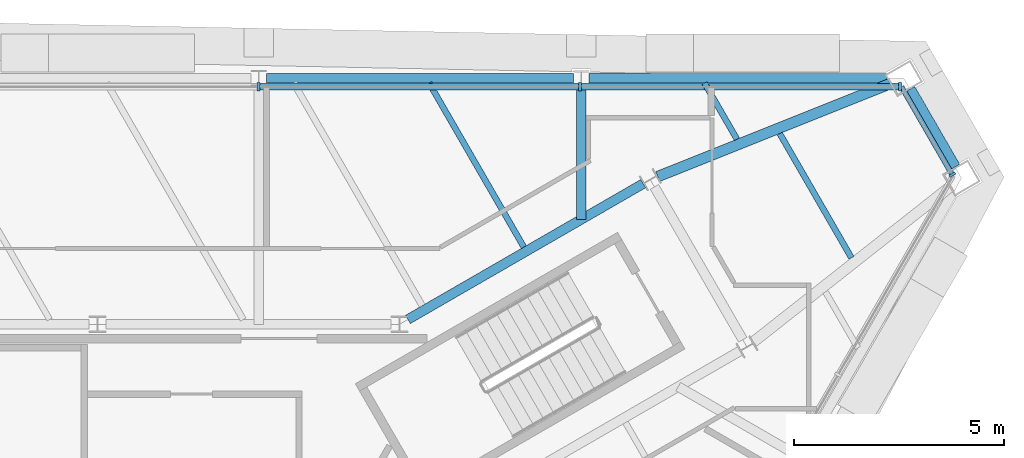
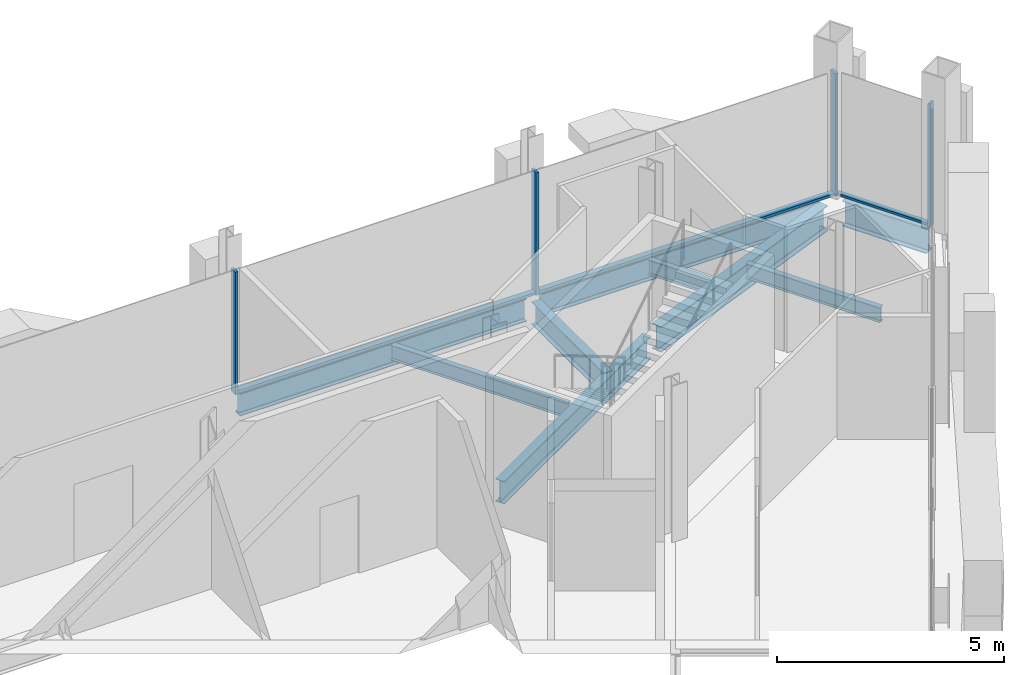
# One storey, part 7 of 13: 9 beams, 7 members, 2 elements without a shape of their own.
"""IFC4 building model written with IfcOpenShell, lengths in metres."""

import ifcopenshell
import ifcopenshell.guid

model = None  # the IFC model being written
_history = None  # IfcOwnerHistory: only IFC2X3 demands one
_inside = {}  # id of a spatial element -> (the spatial element, [elements in it])
_under = {}  # id of a project, library or spatial element -> (it, [spatial elements below it])
_declared = {}  # id of a project -> (the project, [libraries it declares])
_typed = {}  # id of a type object -> (the type object, [elements of that type])
_made_of = {}  # id of a material, layer set ... -> (it, [elements and type objects made of it])


def new_model(schema):
    """Start an empty IFC model of exactly this schema.

    Asked for "IFC4X3", IfcOpenShell would pick the latest addendum, in which some entities
    have other attributes; the version numbers below select the first issue.
    IFC2X3 requires an IfcOwnerHistory on every rooted entity: one is made here for all.
    """
    global model, _history
    if schema == "IFC4X3":
        model = ifcopenshell.file(schema_version=(4, 3, 0, 0))
    else:
        model = ifcopenshell.file(schema=schema)
    _inside.clear()
    _under.clear()
    _declared.clear()
    _typed.clear()
    _made_of.clear()
    _history = None
    if model.schema == "IFC2X3":
        org = make("IfcOrganization", Name="unknown")
        user = make(
            "IfcPersonAndOrganization",
            ThePerson=make("IfcPerson", FamilyName="unknown"),
            TheOrganization=org,
        )
        app = make(
            "IfcApplication",
            ApplicationDeveloper=org,
            Version="unknown",
            ApplicationFullName="unknown",
            ApplicationIdentifier="unknown",
        )
        _history = make(
            "IfcOwnerHistory",
            OwningUser=user,
            OwningApplication=app,
            ChangeAction="ADDED",
            CreationDate=0,
        )
    return model


def make(cls, **values):
    """One entity of the class cls with the attributes given. An attribute that is None is left unset."""
    return model.create_entity(
        cls, **{name: value for name, value in values.items() if value is not None}
    )


def rooted(cls, **values):
    """An entity with a GlobalId (a new one), such as an element, a storey or a relation."""
    return make(cls, GlobalId=ifcopenshell.guid.new(), OwnerHistory=_history, **values)


def si_unit(unit_type, name, prefix=None):
    """IfcSIUnit, for example si_unit("LENGTHUNIT", "METRE", prefix="MILLI")."""
    return make("IfcSIUnit", UnitType=unit_type, Prefix=prefix, Name=name)


def assignment(units):
    """IfcUnitAssignment: the units of a project."""
    return None if units is None else make("IfcUnitAssignment", Units=units)


def point(xyz):
    """IfcCartesianPoint."""
    return None if xyz is None else make("IfcCartesianPoint", Coordinates=xyz)


def direction(xyz):
    """IfcDirection."""
    return None if xyz is None else make("IfcDirection", DirectionRatios=xyz)


def frame(location, z_axis=None, x_axis=None):
    """IfcAxis2Placement3D, a coordinate frame: its origin and axes. An axis left out is left unset."""
    return make(
        "IfcAxis2Placement3D",
        Location=point(location),
        Axis=direction(z_axis),
        RefDirection=direction(x_axis),
    )


def frame_2d(location, x_axis=None):
    """IfcAxis2Placement2D, a coordinate frame in the plane: its origin and x axis."""
    return make(
        "IfcAxis2Placement2D", Location=point(location), RefDirection=direction(x_axis)
    )


def origin():
    """The frame at (0, 0, 0) with its axes left unset."""
    return frame((0.0, 0.0, 0.0))


def origin_2d():
    """The frame at (0, 0) in the plane with its x axis left unset."""
    return frame_2d((0.0, 0.0))


def place(relative_to, where):
    """IfcLocalPlacement: puts the frame where relative to a parent placement (None: the world)."""
    return make(
        "IfcLocalPlacement", PlacementRelTo=relative_to, RelativePlacement=where
    )


def context(
    kind, dimensions, precision=None, world=None, true_north=None, identifier=None
):
    """IfcGeometricRepresentationContext, for example the 3D "Model" context."""
    return make(
        "IfcGeometricRepresentationContext",
        ContextIdentifier=identifier,
        ContextType=kind,
        CoordinateSpaceDimension=dimensions,
        Precision=precision,
        WorldCoordinateSystem=world,
        TrueNorth=true_north,
    )


def subcontext(parent, identifier, kind, view, scale=None):
    """IfcGeometricRepresentationSubContext, for example "Body" below "Model"."""
    return make(
        "IfcGeometricRepresentationSubContext",
        ContextIdentifier=identifier,
        ContextType=kind,
        ParentContext=parent,
        TargetScale=scale,
        TargetView=view,
    )


def project(units=None, contexts=None):
    """IfcProject with its units and contexts."""
    return rooted(
        "IfcProject",
        Name="project",
        RepresentationContexts=contexts,
        UnitsInContext=assignment(units),
    )


def spatial(cls, under=None, at=None, **own):
    """A site, building, storey or space (cls), placed at a placement, below another one or the project."""
    s = rooted(cls, ObjectPlacement=at, **own)
    if under is not None:
        _under.setdefault(under.id(), (under, []))[1].append(s)
    return s


def profile(cls, at=None, kind="AREA", **sizes):
    """A parametric profile (cls). Its sizes go by their IFC names, for example OverallWidth=200.0."""
    return make(cls, ProfileType=kind, Position=at, **sizes)


def rectangle(**sizes):
    """IfcRectangleProfileDef."""
    return profile("IfcRectangleProfileDef", **sizes)


def i_section(**sizes):
    """IfcIShapeProfileDef."""
    return profile("IfcIShapeProfileDef", **sizes)


def extrude(swept, where, along, depth):
    """IfcExtrudedAreaSolid: the profile swept, set in the frame where, extruded along a direction by depth."""
    return make(
        "IfcExtrudedAreaSolid",
        SweptArea=swept,
        Position=where,
        ExtrudedDirection=direction(along),
        Depth=depth,
    )


def shape(context_of_items, identifier, shape_type, items):
    """IfcShapeRepresentation: the items that make up one representation, for example the "Body"."""
    return make(
        "IfcShapeRepresentation",
        ContextOfItems=context_of_items,
        RepresentationIdentifier=identifier,
        RepresentationType=shape_type,
        Items=items,
    )


def material(Name=None, Category=None):
    """IfcMaterial."""
    return make("IfcMaterial", Name=Name, Category=Category)


def material_profile(
    of_material, cross_section, Name=None, Category=None, Priority=None
):
    """IfcMaterialProfile: a cross section and its material."""
    return make(
        "IfcMaterialProfile",
        Name=Name,
        Material=of_material,
        Profile=cross_section,
        Priority=Priority,
        Category=Category,
    )


def profile_set(profiles, Name=None, composite=None):
    """IfcMaterialProfileSet."""
    return make(
        "IfcMaterialProfileSet",
        Name=Name,
        MaterialProfiles=profiles,
        CompositeProfile=composite,
    )


def made_of(thing, what):
    """Note that an element or type object is made of a material, layer set ...; save() writes the relation."""
    if what is not None:
        _made_of.setdefault(what.id(), (what, []))[1].append(thing)
    return thing


def type_object(cls, material=None, **own):
    """A type object (cls), such as IfcWallType, which elements share."""
    return made_of(rooted(cls, **own), material)


def element(
    cls,
    number,
    at=None,
    inside=None,
    cuts=None,
    type_object=None,
    material=None,
    context=None,
    identifier="Body",
    shape_type=None,
    held_by="IfcProductDefinitionShape",
    body=None,
    shapes=None,
    **own,
):
    """One element of the class cls, such as IfcWall. Its Tag is "e" and its number.

    at: its placement. inside: the storey or other place that contains it. cuts: it is an
    opening in that element (IfcRelVoidsElement). A single representation is given by context,
    identifier, shape_type and body (its items); several are given by shapes. held_by: the class
    of the entity that holds the representations. save() writes the other relations.
    """
    e = rooted(cls, Tag="e%d" % number, ObjectPlacement=at, **own)
    if body is not None:
        shapes = [shape(context, identifier, shape_type, body)]
    if shapes is not None:
        e.Representation = make(held_by, Representations=shapes)
    if inside is not None:
        _inside.setdefault(inside.id(), (inside, []))[1].append(e)
    if cuts is not None:
        rooted(
            "IfcRelVoidsElement", RelatingBuildingElement=cuts, RelatedOpeningElement=e
        )
    if type_object is not None:
        _typed.setdefault(type_object.id(), (type_object, []))[1].append(e)
    return made_of(e, material)


def aggregate(whole, parts):
    """IfcRelAggregates: a whole, such as a stair, and the parts it consists of."""
    return rooted("IfcRelAggregates", RelatingObject=whole, RelatedObjects=parts)


def save(model, path):
    """Write the relations noted so far, then the file.

    IfcRelAggregates (storeys below a building ...), IfcRelContainedInSpatialStructure (elements
    in a storey), IfcRelDefinesByType, IfcRelAssociatesMaterial and IfcRelDeclares: one each for
    every whole, place, type object, material and project.
    """
    for whole, parts in _under.values():
        aggregate(whole, parts)
    for where, things in _inside.values():
        rooted(
            "IfcRelContainedInSpatialStructure",
            RelatedElements=things,
            RelatingStructure=where,
        )
    for kind, things in _typed.values():
        rooted("IfcRelDefinesByType", RelatedObjects=things, RelatingType=kind)
    for what, things in _made_of.values():
        rooted("IfcRelAssociatesMaterial", RelatedObjects=things, RelatingMaterial=what)
    for by, libraries in _declared.values():
        rooted("IfcRelDeclares", RelatingContext=by, RelatedDefinitions=libraries)
    model.write(path)


model = new_model("IFC4")

# Units and contexts
model_context = context("Model", 3, precision=1e-05, world=origin(), true_north=direction((0.0, 1.0)))
body_context = subcontext(model_context, "Body", "Model", "MODEL_VIEW")
ifc_project = project(units=[si_unit("LENGTHUNIT", "METRE"), si_unit("AREAUNIT", "SQUARE_METRE"), si_unit("VOLUMEUNIT", "CUBIC_METRE"), si_unit("PLANEANGLEUNIT", "RADIAN"), si_unit("MASSUNIT", "GRAM", prefix="KILO")], contexts=[model_context])

# Site, building, storey
site_placement = place(None, origin())
site = spatial("IfcSite", under=ifc_project, at=site_placement, CompositionType="ELEMENT")
building_placement = place(site_placement, origin())
building = spatial("IfcBuilding", under=site, at=building_placement, Name="Verrane Prism Tower", CompositionType="ELEMENT")
storey_placement = place(building_placement, frame((0.0, 0.0, 321.0)))
storey = spatial("IfcBuildingStorey", under=building, at=storey_placement, Name="L81", CompositionType="ELEMENT", Elevation=321.0)

# Beams
ifc_material_1 = material(Name="Steel A992", Category="steel")
ifc_material_profile_1 = material_profile(ifc_material_1, i_section(OverallWidth=0.25390625, OverallDepth=0.683349609375, WebThickness=0.012451171875, FlangeThickness=0.01904296875, FilletRadius=0.01513671875, at=origin_2d()), Name="W27x94")
ifc_profile_set_1 = profile_set([ifc_material_profile_1], Name="Steel A992")
beam_type_1 = type_object("IfcBeamType", Name="Chamfer spandrel beam W27x94", PredefinedType="SPANDREL", material=ifc_profile_set_1)
beam_1_placement = place(storey_placement, frame((20.389892578125, 10.539794921875, -0.501708984375), z_axis=(-0.500486898547, 0.865744110221, 0.0), x_axis=(-0.865744110221, -0.500486898547, 0.0)))
element("IfcBeam", 1, at=beam_1_placement, inside=storey, type_object=beam_type_1, Name="Chamfer spandrel beam L81", PredefinedType="SPANDREL", context=body_context, shape_type="SweptSolid", body=[
    extrude(i_section(OverallWidth=0.25390625, OverallDepth=0.683349609375, WebThickness=0.012451171875, FlangeThickness=0.01904296875, FilletRadius=0.01513671875, at=origin_2d()), origin(), (0.0, 0.0, 1.0), 2.137451171875),
])
ifc_material_2 = material(Name="Steel A992", Category="steel")
ifc_material_profile_2 = material_profile(ifc_material_2, i_section(OverallWidth=0.228271484375, OverallDepth=0.607177734375, WebThickness=0.01123046875, FlangeThickness=0.017333984375, FilletRadius=0.0126953125, at=origin_2d()), Name="W24x76")
ifc_profile_set_2 = profile_set([ifc_material_profile_2], Name="Steel A992")
beam_type_2 = type_object("IfcBeamType", Name="Core ring girder W24x76", PredefinedType="BEAM", material=ifc_profile_set_2)
beam_2_placement = place(storey_placement, frame((12.972900390625, 10.1435546875, -0.553466796875), z_axis=(-0.866085504117, -0.499895888719, 0.0), x_axis=(0.499895888719, -0.866085504117, 0.0)))
element("IfcBeam", 2, at=beam_2_placement, inside=storey, type_object=beam_type_2, Name="Core ring girder L81", PredefinedType="BEAM", context=body_context, shape_type="SweptSolid", body=[
    extrude(i_section(OverallWidth=0.228271484375, OverallDepth=0.607177734375, WebThickness=0.01123046875, FlangeThickness=0.017333984375, FilletRadius=0.0126953125, at=origin_2d()), origin(), (0.0, 0.0, 1.0), 6.45849609375),
])
ifc_material_3 = material(Name="Steel A992", Category="steel")
ifc_material_profile_3 = material_profile(ifc_material_3, i_section(OverallWidth=0.25390625, OverallDepth=0.683349609375, WebThickness=0.012451171875, FlangeThickness=0.01904296875, FilletRadius=0.01513671875, at=origin_2d()), Name="W27x94")
ifc_profile_set_3 = profile_set([ifc_material_profile_3], Name="Steel A992")
beam_type_3 = type_object("IfcBeamType", Name="Corner girder W27x94", PredefinedType="BEAM", material=ifc_profile_set_3)
beam_3_placement = place(storey_placement, frame((18.841552734375, 12.518798828125, -0.5615234375), z_axis=(-0.928587103525, -0.371114525675, 0.0), x_axis=(0.371114525675, -0.928587103525, 0.0)))
element("IfcBeam", 3, at=beam_3_placement, inside=storey, type_object=beam_type_3, Name="Corner girder L81", PredefinedType="BEAM", context=body_context, shape_type="SweptSolid", body=[
    extrude(i_section(OverallWidth=0.25390625, OverallDepth=0.683349609375, WebThickness=0.012451171875, FlangeThickness=0.01904296875, FilletRadius=0.01513671875, at=origin_2d()), origin(), (0.0, 0.0, 1.0), 5.945068359375),
])
ifc_material_4 = material(Name="Steel A992", Category="steel")
ifc_material_profile_4 = material_profile(ifc_material_4, i_section(OverallWidth=0.140380859375, OverallDepth=0.40380859375, WebThickness=0.007080078125, FlangeThickness=0.01123046875, FilletRadius=0.01025390625, at=origin_2d()), Name="W16x31")
ifc_profile_set_4 = profile_set([ifc_material_profile_4], Name="Steel A992")
beam_type_4 = type_object("IfcBeamType", Name="Floor beam W16x31", PredefinedType="BEAM", material=ifc_profile_set_4)
beam_4_placement = place(storey_placement, frame((15.201904296875, 11.20068359375, -0.36181640625), z_axis=(-0.50005597947, 0.86599308161, 0.0), x_axis=(-0.86599308161, -0.50005597947, 0.0)))
element("IfcBeam", 4, at=beam_4_placement, inside=storey, type_object=beam_type_4, Name="Floor beam L81", PredefinedType="BEAM", context=body_context, shape_type="SweptSolid", body=[
    extrude(i_section(OverallWidth=0.140380859375, OverallDepth=0.40380859375, WebThickness=0.007080078125, FlangeThickness=0.01123046875, FilletRadius=0.01025390625, at=origin_2d()), origin(), (0.0, 0.0, 1.0), 1.541748046875),
])
beam_5_placement = place(storey_placement, frame((10.135498046875, 8.635009765625, -0.36181640625), z_axis=(-0.500003959331, 0.866023117852, 0.0), x_axis=(-0.866023117852, -0.500003959331, 0.0)))
element("IfcBeam", 5, at=beam_5_placement, inside=storey, type_object=beam_type_4, Name="Floor beam L81", PredefinedType="BEAM", context=body_context, shape_type="SweptSolid", body=[
    extrude(i_section(OverallWidth=0.140380859375, OverallDepth=0.40380859375, WebThickness=0.007080078125, FlangeThickness=0.01123046875, FilletRadius=0.01025390625, at=origin_2d()), origin(), (0.0, 0.0, 1.0), 4.50439453125),
])
beam_6_placement = place(storey_placement, frame((17.925048828125, 8.380615234375, -0.36181640625), z_axis=(-0.500042619005, 0.866000796292, 0.0), x_axis=(-0.866000796292, -0.500042619005, 0.0)))
element("IfcBeam", 6, at=beam_6_placement, inside=storey, type_object=beam_type_4, Name="Floor beam L81", PredefinedType="BEAM", context=body_context, shape_type="SweptSolid", body=[
    extrude(i_section(OverallWidth=0.140380859375, OverallDepth=0.40380859375, WebThickness=0.007080078125, FlangeThickness=0.01123046875, FilletRadius=0.01025390625, at=origin_2d()), origin(), (0.0, 0.0, 1.0), 3.410400390625),
])

# Curtain wall, member
ifc_material_5 = material(Name="Aluminium framed insulated glazing", Category="aluminium")
curtain_wall_type_1 = type_object("IfcCurtainWallType", Name="Curtain wall CW-B 5600 module", PredefinedType="NOTDEFINED", material=ifc_material_5)
curtain_wall_1_placement = place(storey_placement, origin())
curtain_wall_1 = element("IfcCurtainWall", 7, at=curtain_wall_1_placement, inside=storey, type_object=curtain_wall_type_1, Name="Glazed curtain wall north-east corner L81", PredefinedType="NOTDEFINED")
ifc_material_6 = material(Name="Aluminium alloy 6063-T6", Category="aluminium")
ifc_material_profile_5 = material_profile(ifc_material_6, rectangle(XDim=0.159912109375, YDim=0.06005859375, at=origin_2d()), Name="Mullion 60x160 aluminium")
ifc_profile_set_5 = profile_set([ifc_material_profile_5], Name="Aluminium alloy 6063-T6")
member_type_1 = type_object("IfcMemberType", Name="Mullion 60x160 aluminium", PredefinedType="MULLION", material=ifc_profile_set_5)
member_1_placement = place(storey_placement, frame((20.321533203125, 10.35546875, 0.0), z_axis=(0.0, 0.0, 1.0), x_axis=(-0.866024860131, -0.500000941634, 0.0)))
member_1 = element("IfcMember", 8, at=member_1_placement, type_object=member_type_1, Name="CW81.1 mullion 1", PredefinedType="MULLION", context=body_context, shape_type="SweptSolid", body=[
    extrude(rectangle(XDim=0.159912109375, YDim=0.06005859375, at=origin_2d()), origin(), (0.0, 0.0, 1.0), 3.296630859375),
])

# Curtain wall, members
ifc_material_7 = material(Name="Aluminium framed insulated glazing", Category="aluminium")
curtain_wall_type_2 = type_object("IfcCurtainWallType", Name="Curtain wall CW-A 8400 module", PredefinedType="NOTDEFINED", material=ifc_material_7)
curtain_wall_2_placement = place(storey_placement, origin())
curtain_wall_2 = element("IfcCurtainWall", 9, at=curtain_wall_2_placement, inside=storey, type_object=curtain_wall_type_2, Name="Glazed curtain wall north face L81", PredefinedType="NOTDEFINED")
ifc_material_8 = material(Name="Aluminium alloy 6063-T6", Category="aluminium")
ifc_material_profile_6 = material_profile(ifc_material_8, rectangle(XDim=0.199951171875, YDim=0.070068359375, at=origin_2d()), Name="Mullion 70x200 aluminium")
ifc_profile_set_6 = profile_set([ifc_material_profile_6], Name="Aluminium alloy 6063-T6")
member_type_2 = type_object("IfcMemberType", Name="Mullion 70x200 aluminium", PredefinedType="MULLION", material=ifc_profile_set_6)
member_2_placement = place(storey_placement, frame((19.0791015625, 12.447265625, 0.0), z_axis=(0.0, 0.0, 1.0), x_axis=(0.0, -1.0, 0.0)))
member_2 = element("IfcMember", 10, at=member_2_placement, type_object=member_type_2, Name="CW81.2 mullion 1", PredefinedType="MULLION", context=body_context, shape_type="SweptSolid", body=[
    extrude(rectangle(XDim=0.199951171875, YDim=0.070068359375, at=origin_2d()), origin(), (0.0, 0.0, 1.0), 3.296630859375),
])
member_3_placement = place(storey_placement, frame((11.468505859375, 12.447265625, 0.0), z_axis=(0.0, 0.0, 1.0), x_axis=(0.0, -1.0, 0.0)))
member_3 = element("IfcMember", 11, at=member_3_placement, type_object=member_type_2, Name="CW81.2 mullion 2", PredefinedType="MULLION", context=body_context, shape_type="SweptSolid", body=[
    extrude(rectangle(XDim=0.199951171875, YDim=0.070068359375, at=origin_2d()), origin(), (0.0, 0.0, 1.0), 3.296630859375),
])
member_4_placement = place(storey_placement, frame((3.82275390625, 12.447265625, 0.0), z_axis=(0.0, 0.0, 1.0), x_axis=(0.0, -1.0, 0.0)))
member_4 = element("IfcMember", 12, at=member_4_placement, type_object=member_type_2, Name="CW81.2 mullion 3", PredefinedType="MULLION", context=body_context, shape_type="SweptSolid", body=[
    extrude(rectangle(XDim=0.199951171875, YDim=0.070068359375, at=origin_2d()), origin(), (0.0, 0.0, 1.0), 3.296630859375),
])

# Beams
ifc_material_9 = material(Name="Steel A992", Category="steel")
ifc_material_profile_7 = material_profile(ifc_material_9, i_section(OverallWidth=0.228271484375, OverallDepth=0.607177734375, WebThickness=0.01123046875, FlangeThickness=0.017333984375, FilletRadius=0.0126953125, at=origin_2d()), Name="W24x76")
ifc_profile_set_7 = profile_set([ifc_material_profile_7], Name="Steel A992")
beam_type_5 = type_object("IfcBeamType", Name="Radial girder W24x76", PredefinedType="BEAM", material=ifc_profile_set_7)
beam_7_placement = place(storey_placement, frame((11.5, 12.4658203125, -0.5234375), z_axis=(0.0, -1.0, 0.0), x_axis=(1.0, 0.0, 0.0)))
element("IfcBeam", 13, at=beam_7_placement, inside=storey, type_object=beam_type_5, Name="Radial girder L81", PredefinedType="BEAM", context=body_context, shape_type="SweptSolid", body=[
    extrude(i_section(OverallWidth=0.228271484375, OverallDepth=0.607177734375, WebThickness=0.01123046875, FlangeThickness=0.017333984375, FilletRadius=0.0126953125, at=origin_2d()), origin(), (0.0, 0.0, 1.0), 3.17236328125),
])
ifc_material_10 = material(Name="Steel A992", Category="steel")
ifc_material_profile_8 = material_profile(ifc_material_10, i_section(OverallWidth=0.228271484375, OverallDepth=0.607177734375, WebThickness=0.01123046875, FlangeThickness=0.017333984375, FilletRadius=0.0126953125, at=origin_2d()), Name="W24x76")
ifc_profile_set_8 = profile_set([ifc_material_profile_8], Name="Steel A992")
beam_type_6 = type_object("IfcBeamType", Name="Spandrel beam W24x76", PredefinedType="SPANDREL", material=ifc_profile_set_8)
beam_8_placement = place(storey_placement, frame((18.765869140625, 12.64990234375, -0.46337890625), z_axis=(-1.0, 0.0, 0.0), x_axis=(0.0, -1.0, 0.0)))
element("IfcBeam", 14, at=beam_8_placement, inside=storey, type_object=beam_type_6, Name="Spandrel beam L81", PredefinedType="SPANDREL", context=body_context, shape_type="SweptSolid", body=[
    extrude(i_section(OverallWidth=0.228271484375, OverallDepth=0.607177734375, WebThickness=0.01123046875, FlangeThickness=0.017333984375, FilletRadius=0.0126953125, at=origin_2d()), origin(), (0.0, 0.0, 1.0), 7.0791015625),
])
beam_9_placement = place(storey_placement, frame((11.313232421875, 12.64990234375, -0.46337890625), z_axis=(-1.0, 0.0, 0.0), x_axis=(0.0, -1.0, 0.0)))
element("IfcBeam", 15, at=beam_9_placement, inside=storey, type_object=beam_type_6, Name="Spandrel beam L81", PredefinedType="SPANDREL", context=body_context, shape_type="SweptSolid", body=[
    extrude(i_section(OverallWidth=0.228271484375, OverallDepth=0.607177734375, WebThickness=0.01123046875, FlangeThickness=0.017333984375, FilletRadius=0.0126953125, at=origin_2d()), origin(), (0.0, 0.0, 1.0), 7.296630859375),
])

# Member
ifc_material_11 = material(Name="Aluminium alloy 6063-T6", Category="aluminium")
ifc_material_profile_9 = material_profile(ifc_material_11, rectangle(XDim=0.1201171875, YDim=0.06005859375, at=origin_2d()), Name="Transom 60x120 aluminium")
ifc_profile_set_9 = profile_set([ifc_material_profile_9], Name="Aluminium alloy 6063-T6")
member_type_3 = type_object("IfcMemberType", Name="Transom 60x120 aluminium", PredefinedType="USERDEFINED", material=ifc_profile_set_9)
member_5_placement = place(storey_placement, frame((20.306640625, 10.381591796875, 0.030029296875), z_axis=(-0.50000302246, 0.866023658759, 0.0), x_axis=(-0.866023658759, -0.50000302246, 0.0)))
member_5 = element("IfcMember", 16, at=member_5_placement, type_object=member_type_3, Name="CW81.1 transom 1", ObjectType="TRANSOM", PredefinedType="USERDEFINED", context=body_context, shape_type="SweptSolid", body=[
    extrude(rectangle(XDim=0.1201171875, YDim=0.06005859375, at=origin_2d()), origin(), (0.0, 0.0, 1.0), 2.38525390625),
])

aggregate(curtain_wall_1, [member_1, member_5])

ifc_material_12 = material(Name="Aluminium alloy 6063-T6", Category="aluminium")
ifc_material_profile_10 = material_profile(ifc_material_12, rectangle(XDim=0.14990234375, YDim=0.070068359375, at=origin_2d()), Name="Transom 70x150 aluminium")
ifc_profile_set_10 = profile_set([ifc_material_profile_10], Name="Aluminium alloy 6063-T6")
member_type_4 = type_object("IfcMemberType", Name="Transom 70x150 aluminium", PredefinedType="USERDEFINED", material=ifc_profile_set_10)
member_6_placement = place(storey_placement, frame((19.0439453125, 12.447265625, 0.034912109375), z_axis=(-1.0, 0.0, 0.0), x_axis=(0.0, -1.0, 0.0)))
member_6 = element("IfcMember", 17, at=member_6_placement, type_object=member_type_4, Name="CW81.2 transom 1", ObjectType="TRANSOM", PredefinedType="USERDEFINED", context=body_context, shape_type="SweptSolid", body=[
    extrude(rectangle(XDim=0.14990234375, YDim=0.070068359375, at=origin_2d()), origin(), (0.0, 0.0, 1.0), 7.54052734375),
])

member_7_placement = place(storey_placement, frame((11.433349609375, 12.447265625, 0.034912109375), z_axis=(-1.0, 0.0, 0.0), x_axis=(0.0, -1.0, 0.0)))
member_7 = element("IfcMember", 18, at=member_7_placement, type_object=member_type_4, Name="CW81.2 transom 2", ObjectType="TRANSOM", PredefinedType="USERDEFINED", context=body_context, shape_type="SweptSolid", body=[
    extrude(rectangle(XDim=0.14990234375, YDim=0.070068359375, at=origin_2d()), origin(), (0.0, 0.0, 1.0), 7.575439453125),
])

aggregate(curtain_wall_2, [member_2, member_3, member_4, member_6, member_7])

save(model, "model.ifc")
